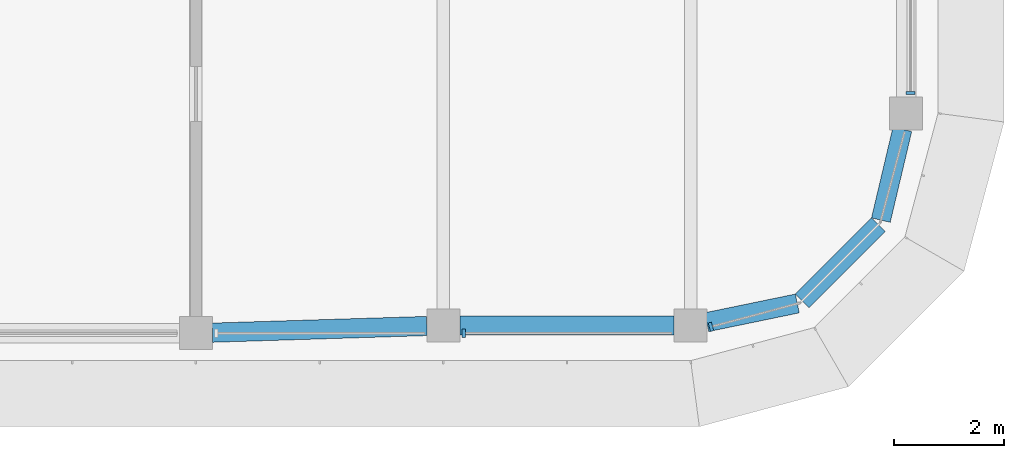
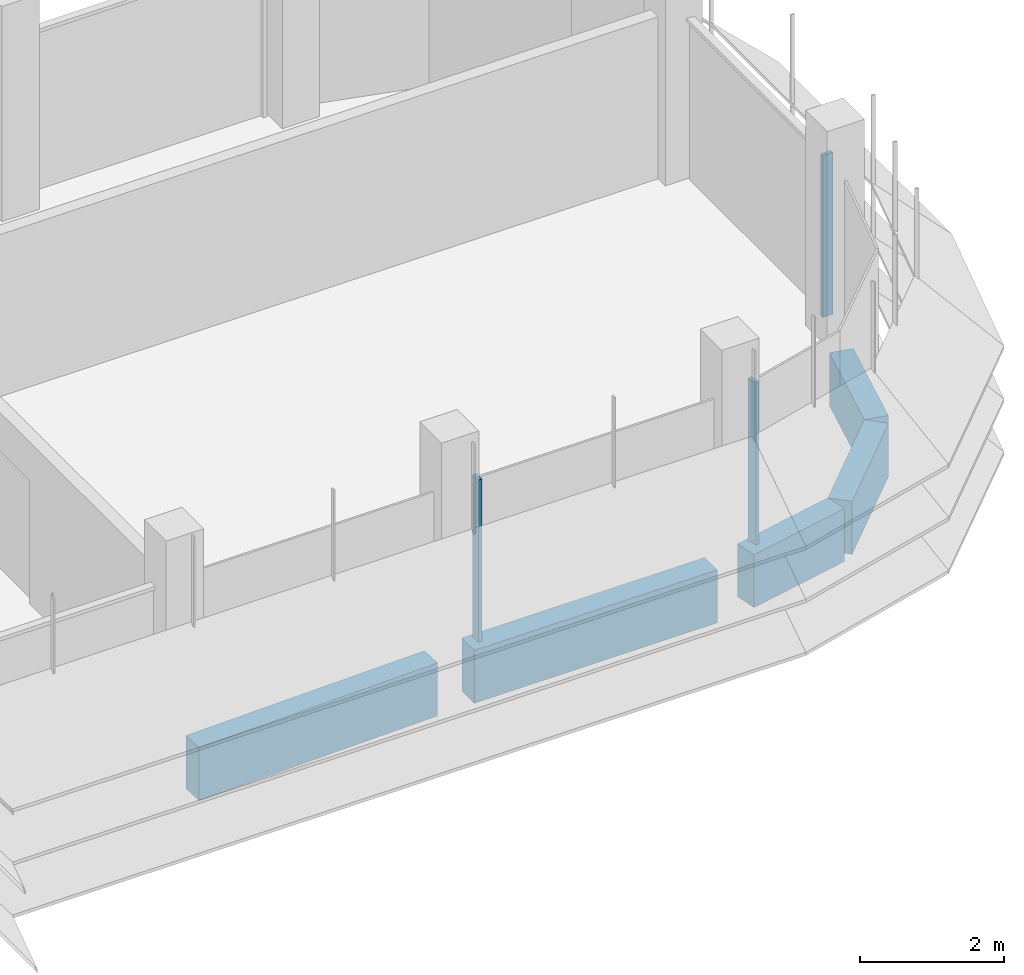
# One storey, part 5 of 19: 5 beams, 3 members, 3 elements without a shape of their own.
"""IFC4 building model written with IfcOpenShell, lengths in metres."""

import ifcopenshell
import ifcopenshell.guid

model = None  # the IFC model being written
_history = None  # IfcOwnerHistory: only IFC2X3 demands one
_inside = {}  # id of a spatial element -> (the spatial element, [elements in it])
_under = {}  # id of a project, library or spatial element -> (it, [spatial elements below it])
_declared = {}  # id of a project -> (the project, [libraries it declares])
_typed = {}  # id of a type object -> (the type object, [elements of that type])
_made_of = {}  # id of a material, layer set ... -> (it, [elements and type objects made of it])


def new_model(schema):
    """Start an empty IFC model of exactly this schema.

    Asked for "IFC4X3", IfcOpenShell would pick the latest addendum, in which some entities
    have other attributes; the version numbers below select the first issue.
    IFC2X3 requires an IfcOwnerHistory on every rooted entity: one is made here for all.
    """
    global model, _history
    if schema == "IFC4X3":
        model = ifcopenshell.file(schema_version=(4, 3, 0, 0))
    else:
        model = ifcopenshell.file(schema=schema)
    _inside.clear()
    _under.clear()
    _declared.clear()
    _typed.clear()
    _made_of.clear()
    _history = None
    if model.schema == "IFC2X3":
        org = make("IfcOrganization", Name="unknown")
        user = make(
            "IfcPersonAndOrganization",
            ThePerson=make("IfcPerson", FamilyName="unknown"),
            TheOrganization=org,
        )
        app = make(
            "IfcApplication",
            ApplicationDeveloper=org,
            Version="unknown",
            ApplicationFullName="unknown",
            ApplicationIdentifier="unknown",
        )
        _history = make(
            "IfcOwnerHistory",
            OwningUser=user,
            OwningApplication=app,
            ChangeAction="ADDED",
            CreationDate=0,
        )
    return model


def make(cls, **values):
    """One entity of the class cls with the attributes given. An attribute that is None is left unset."""
    return model.create_entity(
        cls, **{name: value for name, value in values.items() if value is not None}
    )


def rooted(cls, **values):
    """An entity with a GlobalId (a new one), such as an element, a storey or a relation."""
    return make(cls, GlobalId=ifcopenshell.guid.new(), OwnerHistory=_history, **values)


def si_unit(unit_type, name, prefix=None):
    """IfcSIUnit, for example si_unit("LENGTHUNIT", "METRE", prefix="MILLI")."""
    return make("IfcSIUnit", UnitType=unit_type, Prefix=prefix, Name=name)


def assignment(units):
    """IfcUnitAssignment: the units of a project."""
    return None if units is None else make("IfcUnitAssignment", Units=units)


def point(xyz):
    """IfcCartesianPoint."""
    return None if xyz is None else make("IfcCartesianPoint", Coordinates=xyz)


def direction(xyz):
    """IfcDirection."""
    return None if xyz is None else make("IfcDirection", DirectionRatios=xyz)


def frame(location, z_axis=None, x_axis=None):
    """IfcAxis2Placement3D, a coordinate frame: its origin and axes. An axis left out is left unset."""
    return make(
        "IfcAxis2Placement3D",
        Location=point(location),
        Axis=direction(z_axis),
        RefDirection=direction(x_axis),
    )


def frame_2d(location, x_axis=None):
    """IfcAxis2Placement2D, a coordinate frame in the plane: its origin and x axis."""
    return make(
        "IfcAxis2Placement2D", Location=point(location), RefDirection=direction(x_axis)
    )


def origin():
    """The frame at (0, 0, 0) with its axes left unset."""
    return frame((0.0, 0.0, 0.0))


def origin_2d():
    """The frame at (0, 0) in the plane with its x axis left unset."""
    return frame_2d((0.0, 0.0))


def place(relative_to, where):
    """IfcLocalPlacement: puts the frame where relative to a parent placement (None: the world)."""
    return make(
        "IfcLocalPlacement", PlacementRelTo=relative_to, RelativePlacement=where
    )


def context(
    kind, dimensions, precision=None, world=None, true_north=None, identifier=None
):
    """IfcGeometricRepresentationContext, for example the 3D "Model" context."""
    return make(
        "IfcGeometricRepresentationContext",
        ContextIdentifier=identifier,
        ContextType=kind,
        CoordinateSpaceDimension=dimensions,
        Precision=precision,
        WorldCoordinateSystem=world,
        TrueNorth=true_north,
    )


def subcontext(parent, identifier, kind, view, scale=None):
    """IfcGeometricRepresentationSubContext, for example "Body" below "Model"."""
    return make(
        "IfcGeometricRepresentationSubContext",
        ContextIdentifier=identifier,
        ContextType=kind,
        ParentContext=parent,
        TargetScale=scale,
        TargetView=view,
    )


def project(units=None, contexts=None):
    """IfcProject with its units and contexts."""
    return rooted(
        "IfcProject",
        Name="project",
        RepresentationContexts=contexts,
        UnitsInContext=assignment(units),
    )


def spatial(cls, under=None, at=None, **own):
    """A site, building, storey or space (cls), placed at a placement, below another one or the project."""
    s = rooted(cls, ObjectPlacement=at, **own)
    if under is not None:
        _under.setdefault(under.id(), (under, []))[1].append(s)
    return s


def polyline(points):
    """IfcPolyline through the points."""
    return make("IfcPolyline", Points=[point(p) for p in points])


def profile(cls, at=None, kind="AREA", **sizes):
    """A parametric profile (cls). Its sizes go by their IFC names, for example OverallWidth=200.0."""
    return make(cls, ProfileType=kind, Position=at, **sizes)


def rectangle(**sizes):
    """IfcRectangleProfileDef."""
    return profile("IfcRectangleProfileDef", **sizes)


def outline(outer, holes=None, kind="AREA"):
    """IfcArbitraryClosedProfileDef: a profile drawn as a closed curve; with holes, ...WithVoids."""
    if holes is None:
        return make("IfcArbitraryClosedProfileDef", ProfileType=kind, OuterCurve=outer)
    return make(
        "IfcArbitraryProfileDefWithVoids",
        ProfileType=kind,
        OuterCurve=outer,
        InnerCurves=holes,
    )


def extrude(swept, where, along, depth):
    """IfcExtrudedAreaSolid: the profile swept, set in the frame where, extruded along a direction by depth."""
    return make(
        "IfcExtrudedAreaSolid",
        SweptArea=swept,
        Position=where,
        ExtrudedDirection=direction(along),
        Depth=depth,
    )


def shape(context_of_items, identifier, shape_type, items):
    """IfcShapeRepresentation: the items that make up one representation, for example the "Body"."""
    return make(
        "IfcShapeRepresentation",
        ContextOfItems=context_of_items,
        RepresentationIdentifier=identifier,
        RepresentationType=shape_type,
        Items=items,
    )


def source(mapping_origin, context_of_items, identifier, shape_type, items):
    """IfcRepresentationMap: a shape defined once, which mapped items show again and again."""
    return make(
        "IfcRepresentationMap",
        MappingOrigin=mapping_origin,
        MappedRepresentation=shape(context_of_items, identifier, shape_type, items),
    )


def transform(
    local_origin,
    x_axis=None,
    y_axis=None,
    z_axis=None,
    scale=None,
    scale2=None,
    scale3=None,
    uniform=True,
):
    """IfcCartesianTransformationOperator3D, or its non-uniform kind. x_axis, y_axis, z_axis: its Axis1, 2, 3."""
    if uniform:
        return make(
            "IfcCartesianTransformationOperator3D",
            Axis1=direction(x_axis),
            Axis2=direction(y_axis),
            LocalOrigin=point(local_origin),
            Scale=scale,
            Axis3=direction(z_axis),
        )
    return make(
        "IfcCartesianTransformationOperator3DnonUniform",
        Axis1=direction(x_axis),
        Axis2=direction(y_axis),
        LocalOrigin=point(local_origin),
        Scale=scale,
        Axis3=direction(z_axis),
        Scale2=scale2,
        Scale3=scale3,
    )


def mapped(mapping_source, mapping_target):
    """IfcMappedItem: shows the shape of a source again, moved by a transform."""
    return make(
        "IfcMappedItem", MappingSource=mapping_source, MappingTarget=mapping_target
    )


def material(Name=None, Category=None):
    """IfcMaterial."""
    return make("IfcMaterial", Name=Name, Category=Category)


def material_profile(
    of_material, cross_section, Name=None, Category=None, Priority=None
):
    """IfcMaterialProfile: a cross section and its material."""
    return make(
        "IfcMaterialProfile",
        Name=Name,
        Material=of_material,
        Profile=cross_section,
        Priority=Priority,
        Category=Category,
    )


def profile_set(profiles, Name=None, composite=None):
    """IfcMaterialProfileSet."""
    return make(
        "IfcMaterialProfileSet",
        Name=Name,
        MaterialProfiles=profiles,
        CompositeProfile=composite,
    )


def made_of(thing, what):
    """Note that an element or type object is made of a material, layer set ...; save() writes the relation."""
    if what is not None:
        _made_of.setdefault(what.id(), (what, []))[1].append(thing)
    return thing


def type_object(cls, material=None, **own):
    """A type object (cls), such as IfcWallType, which elements share."""
    return made_of(rooted(cls, **own), material)


def element(
    cls,
    number,
    at=None,
    inside=None,
    cuts=None,
    type_object=None,
    material=None,
    context=None,
    identifier="Body",
    shape_type=None,
    held_by="IfcProductDefinitionShape",
    body=None,
    shapes=None,
    **own,
):
    """One element of the class cls, such as IfcWall. Its Tag is "e" and its number.

    at: its placement. inside: the storey or other place that contains it. cuts: it is an
    opening in that element (IfcRelVoidsElement). A single representation is given by context,
    identifier, shape_type and body (its items); several are given by shapes. held_by: the class
    of the entity that holds the representations. save() writes the other relations.
    """
    e = rooted(cls, Tag="e%d" % number, ObjectPlacement=at, **own)
    if body is not None:
        shapes = [shape(context, identifier, shape_type, body)]
    if shapes is not None:
        e.Representation = make(held_by, Representations=shapes)
    if inside is not None:
        _inside.setdefault(inside.id(), (inside, []))[1].append(e)
    if cuts is not None:
        rooted(
            "IfcRelVoidsElement", RelatingBuildingElement=cuts, RelatedOpeningElement=e
        )
    if type_object is not None:
        _typed.setdefault(type_object.id(), (type_object, []))[1].append(e)
    return made_of(e, material)


def aggregate(whole, parts):
    """IfcRelAggregates: a whole, such as a stair, and the parts it consists of."""
    return rooted("IfcRelAggregates", RelatingObject=whole, RelatedObjects=parts)


def save(model, path):
    """Write the relations noted so far, then the file.

    IfcRelAggregates (storeys below a building ...), IfcRelContainedInSpatialStructure (elements
    in a storey), IfcRelDefinesByType, IfcRelAssociatesMaterial and IfcRelDeclares: one each for
    every whole, place, type object, material and project.
    """
    for whole, parts in _under.values():
        aggregate(whole, parts)
    for where, things in _inside.values():
        rooted(
            "IfcRelContainedInSpatialStructure",
            RelatedElements=things,
            RelatingStructure=where,
        )
    for kind, things in _typed.values():
        rooted("IfcRelDefinesByType", RelatedObjects=things, RelatingType=kind)
    for what, things in _made_of.values():
        rooted("IfcRelAssociatesMaterial", RelatedObjects=things, RelatingMaterial=what)
    for by, libraries in _declared.values():
        rooted("IfcRelDeclares", RelatingContext=by, RelatedDefinitions=libraries)
    model.write(path)


model = new_model("IFC4")

# Units and contexts
model_context = context("Model", 3, precision=1e-05, world=origin(), true_north=direction((0.0, 1.0)))
body_context = subcontext(model_context, "Body", "Model", "MODEL_VIEW")
ifc_project = project(units=[si_unit("LENGTHUNIT", "METRE"), si_unit("AREAUNIT", "SQUARE_METRE"), si_unit("VOLUMEUNIT", "CUBIC_METRE"), si_unit("PLANEANGLEUNIT", "RADIAN"), si_unit("MASSUNIT", "GRAM", prefix="KILO")], contexts=[model_context])

# Site, building, storey
site_placement = place(None, origin())
site = spatial("IfcSite", under=ifc_project, at=site_placement, CompositionType="ELEMENT")
building_placement = place(site_placement, origin())
building = spatial("IfcBuilding", under=site, at=building_placement, Name="Zarbagh Exchange Tower", CompositionType="ELEMENT")
storey_placement = place(building_placement, frame((0.0, 0.0, 272.60009765625)))
storey = spatial("IfcBuildingStorey", under=building, at=storey_placement, Name="L67", CompositionType="ELEMENT", Elevation=272.60009765625)

# Beams
ifc_material_1 = material(Name="Concrete C40/50", Category="concrete")
ifc_material_profile = material_profile(ifc_material_1, rectangle(XDim=0.35009765625, YDim=0.89990234375, at=origin_2d()), Name="RC spandrel beam 350 x 900 C40/50")
ifc_profile_set = profile_set([ifc_material_profile], Name="Concrete C40/50")
beam_type = type_object("IfcBeamType", Name="RC spandrel beam 350 x 900 C40/50", PredefinedType="SPANDREL", material=ifc_profile_set)
beam_1_placement = place(storey_placement, frame((28.600830078125, -2.5419921875, -0.60009765625), z_axis=(-0.230258391117, -0.973129525459, 0.0), x_axis=(0.973129525459, -0.230258391117, 0.0)))
element("IfcBeam", 1, at=beam_1_placement, inside=storey, type_object=beam_type, Name="RC spandrel beam", PredefinedType="SPANDREL", context=body_context, shape_type="SweptSolid", body=[
    extrude(rectangle(XDim=0.35009765625, YDim=0.89990234375, at=origin_2d()), origin(), (0.0, 0.0, 1.0), 1.696533203125),
])
beam_2_placement = place(storey_placement, frame((28.163818359375, -4.2763671875, -0.60009765625), z_axis=(-0.707106781187, -0.707106781187, 0.0), x_axis=(0.707106781187, -0.707106781187, 0.0)))
element("IfcBeam", 2, at=beam_2_placement, inside=storey, type_object=beam_type, Name="RC spandrel beam", PredefinedType="SPANDREL", context=body_context, shape_type="SweptSolid", body=[
    extrude(rectangle(XDim=0.35009765625, YDim=0.89990234375, at=origin_2d()), origin(), (0.0, 0.0, 1.0), 1.95947265625),
])
beam_3_placement = place(storey_placement, frame((26.68994140625, -5.70947265625, -0.60009765625), z_axis=(-0.979349753205, -0.202173343684, 0.0), x_axis=(0.202173343684, -0.979349753205, 0.0)))
element("IfcBeam", 3, at=beam_3_placement, inside=storey, type_object=beam_type, Name="RC spandrel beam", PredefinedType="SPANDREL", context=body_context, shape_type="SweptSolid", body=[
    extrude(rectangle(XDim=0.35009765625, YDim=0.89990234375, at=origin_2d()), origin(), (0.0, 0.0, 1.0), 1.680908203125),
])
beam_4_placement = place(storey_placement, frame((24.449951171875, -6.110107421875, -0.60009765625), z_axis=(-1.0, 0.0, 0.0), x_axis=(0.0, -1.0, 0.0)))
element("IfcBeam", 4, at=beam_4_placement, inside=storey, type_object=beam_type, Name="RC spandrel beam", PredefinedType="SPANDREL", context=body_context, shape_type="SweptSolid", body=[
    extrude(rectangle(XDim=0.35009765625, YDim=0.89990234375, at=origin_2d()), origin(), (0.0, 0.0, 1.0), 3.89990234375),
])
beam_5_placement = place(storey_placement, frame((19.9501953125, -6.119384765625, -0.60009765625), z_axis=(-0.999516460907, -0.031094121249, 0.0), x_axis=(0.031094121249, -0.999516460907, 0.0)))
element("IfcBeam", 5, at=beam_5_placement, inside=storey, type_object=beam_type, Name="RC spandrel beam", PredefinedType="SPANDREL", context=body_context, shape_type="SweptSolid", body=[
    extrude(rectangle(XDim=0.35009765625, YDim=0.89990234375, at=origin_2d()), origin(), (0.0, 0.0, 1.0), 3.90234375),
])

# Curtain wall, member
ifc_material_2 = material(Name="Anodised aluminium frame and glazing", Category="aluminium")
curtain_wall_type = type_object("IfcCurtainWallType", Name="CWB Ribbon glazing, upper zones", PredefinedType="NOTDEFINED", material=ifc_material_2)
curtain_wall_1_placement = place(storey_placement, origin())
curtain_wall_1 = element("IfcCurtainWall", 6, at=curtain_wall_1_placement, inside=storey, type_object=curtain_wall_type, Name="CWB75 curtain wall", PredefinedType="NOTDEFINED")
ifc_material_3 = material(Name="Anodised aluminium frame", Category="aluminium")
member_type = type_object("IfcMemberType", Name="MUB Mullion, anodised aluminium frame", PredefinedType="MULLION", material=ifc_material_3)
shared_shape = source(origin(), body_context, "Body", "SweptSolid", [
    extrude(outline(polyline([(0.0, -0.080078125), (0.06005859375, -0.080078125), (0.06005859375, 0.080078125), (0.0, 0.080078125), (0.0, -0.080078125)])), origin(), (0.0, 0.0, 1.0), 2.75),
])
placement = place(storey_placement, origin())
member_1 = element("IfcMember", 7, at=placement, type_object=member_type, Name="CWB75 mullion 3.1", PredefinedType="MULLION", context=body_context, shape_type="MappedRepresentation", body=[
    mapped(shared_shape, transform((20.590087890625, -6.25, 0.0), x_axis=(1.0, 0.0, 0.0), y_axis=(0.0, 1.0, 0.0), z_axis=(0.0, 0.0, 1.0))),
])
aggregate(curtain_wall_1, [member_1])

curtain_wall_2_placement = place(storey_placement, origin())
curtain_wall_2 = element("IfcCurtainWall", 8, at=curtain_wall_2_placement, inside=storey, type_object=curtain_wall_type, Name="CWB76 curtain wall", PredefinedType="NOTDEFINED")
member_2 = element("IfcMember", 9, at=placement, type_object=member_type, Name="CWB76 mullion 1.1", PredefinedType="MULLION", context=body_context, shape_type="MappedRepresentation", body=[
    mapped(shared_shape, transform((25.08984375, -6.141357421875, 0.0), x_axis=(0.965924289636, 0.258824779902, 0.0), y_axis=(-0.258824779902, 0.965924289636, 0.0), z_axis=(0.0, 0.0, 1.0))),
])
aggregate(curtain_wall_2, [member_2])

curtain_wall_3_placement = place(storey_placement, origin())
curtain_wall_3 = element("IfcCurtainWall", 10, at=curtain_wall_3_placement, inside=storey, type_object=curtain_wall_type, Name="CWB83 curtain wall", PredefinedType="NOTDEFINED")
member_3 = element("IfcMember", 11, at=placement, type_object=member_type, Name="CWB83 mullion 1.1", PredefinedType="MULLION", context=body_context, shape_type="MappedRepresentation", body=[
    mapped(shared_shape, transform((28.75, -1.909912109375, 0.0), x_axis=(0.0, 1.0, 0.0), y_axis=(-1.0, 0.0, 0.0), z_axis=(0.0, 0.0, 1.0))),
])
aggregate(curtain_wall_3, [member_3])

save(model, "model.ifc")
